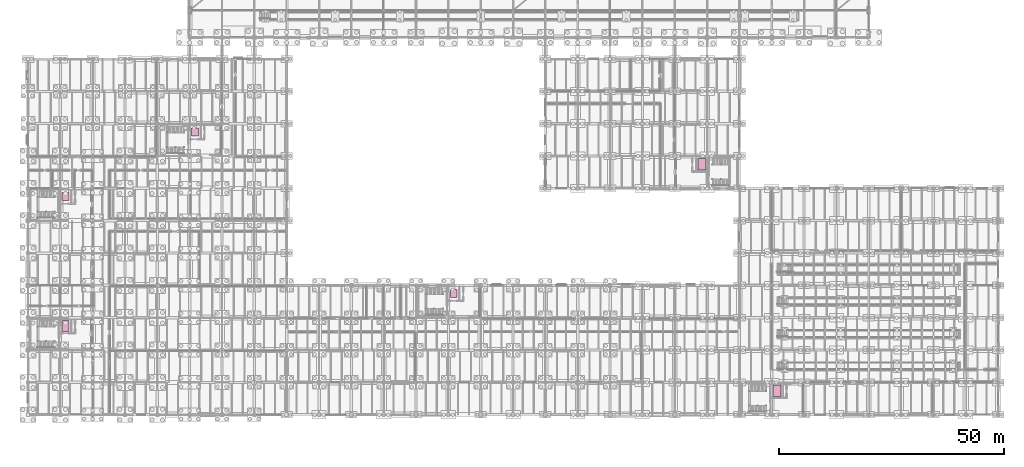
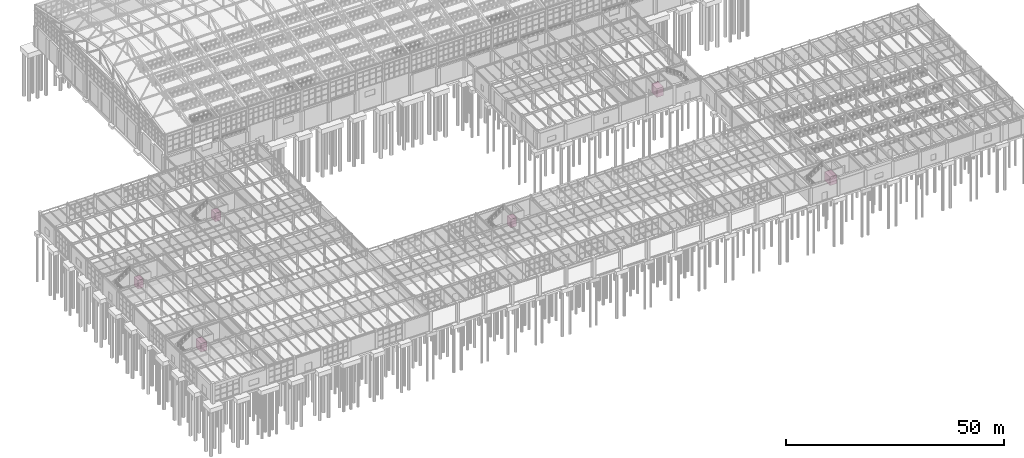
# One storey, part 293 of 293: 6 transport elements.
"""IFC4 building model written with IfcOpenShell, lengths in metres."""

from ifc_helpers import new_model, si_unit, direction, frame, origin, origin_2d, place, context, subcontext, project, spatial, rectangle, extrude, material, type_object, element, save


model = new_model("IFC4")

# Units and contexts
model_context = context("Model", 3, precision=1e-05, world=origin(), true_north=direction((0.0, 1.0)))
body_context = subcontext(model_context, "Body", "Model", "MODEL_VIEW")
ifc_project = project(units=[si_unit("LENGTHUNIT", "METRE"), si_unit("AREAUNIT", "SQUARE_METRE"), si_unit("VOLUMEUNIT", "CUBIC_METRE"), si_unit("PLANEANGLEUNIT", "RADIAN"), si_unit("MASSUNIT", "GRAM", prefix="KILO")], contexts=[model_context])

# Site, building, storey
site_placement = place(None, origin())
site = spatial("IfcSite", under=ifc_project, at=site_placement, CompositionType="ELEMENT")
building_placement = place(site_placement, origin())
building = spatial("IfcBuilding", under=site, at=building_placement, Name="Kemerveld Promenade Tramway Depot", CompositionType="ELEMENT")
storey_placement = place(building_placement, origin())
storey = spatial("IfcBuildingStorey", under=building, at=storey_placement, Name="L00", CompositionType="ELEMENT", Elevation=0.0)

# Transport elements
ifc_material_1 = material(Name="Stainless steel firefighting lift car", Category="steel")
transport_element_type_1 = type_object("IfcTransportElementType", Name="LFT-FF1600", PredefinedType="ELEVATOR", material=ifc_material_1)
transport_element_placement = place(storey_placement, frame((8.3798828125, 19.75, 0.0), z_axis=(0.0, 0.0, 1.0), x_axis=(1.0, 0.0, 0.0)))
element("IfcTransportElement", 1, at=transport_element_placement, inside=storey, type_object=transport_element_type_1, Name="LF-01", PredefinedType="ELEVATOR", context=body_context, shape_type="SweptSolid", body=[
    extrude(rectangle(XDim=1.60009765625, YDim=2.39990234375, at=origin_2d()), origin(), (0.0, 0.0, 1.0), 2.39990234375),
])
ifc_material_2 = material(Name="Heavy-duty steel goods lift car", Category="steel")
transport_element_type_2 = type_object("IfcTransportElementType", Name="LFT-GD2500", PredefinedType="ELEVATOR", material=ifc_material_2)
for number, where, z_axis, x_axis, name in (
    (2, (166.780029296875, 5.35009765625, 0.0), (0.0, 0.0, 1.0), (1.0, 0.0, 0.0), "LG-01"),
    (3, (150.02001953125, 55.75, 0.0), (0.0, 0.0, 1.0), (1.0, 0.0, 0.0), "LG-02"),
):
    element("IfcTransportElement", number, at=place(storey_placement, frame(where, z_axis=z_axis, x_axis=x_axis)), inside=storey, type_object=transport_element_type_2, Name=name, PredefinedType="ELEVATOR", context=body_context, shape_type="SweptSolid", body=[
        extrude(rectangle(XDim=1.800048828125, YDim=2.5, at=origin_2d()), origin(), (0.0, 0.0, 1.0), 2.39990234375),
    ])
ifc_material_3 = material(Name="Brushed steel passenger lift car", Category="steel")
transport_element_type_3 = type_object("IfcTransportElementType", Name="LFT-PS1350", PredefinedType="ELEVATOR", material=ifc_material_3)
for number, where, z_axis, x_axis, name in (
    (4, (8.3798828125, 48.550048828125, 0.0), (0.0, 0.0, 1.0), (1.0, 0.0, 0.0), "LP-01"),
    (5, (37.179931640625, 62.949951171875, 0.0), (0.0, 0.0, 1.0), (1.0, 0.0, 0.0), "LP-02"),
    (6, (94.780029296875, 26.949951171875, 0.0), (0.0, 0.0, 1.0), (1.0, 0.0, 0.0), "LP-03"),
):
    element("IfcTransportElement", number, at=place(storey_placement, frame(where, z_axis=z_axis, x_axis=x_axis)), inside=storey, type_object=transport_element_type_3, Name=name, PredefinedType="ELEVATOR", context=body_context, shape_type="SweptSolid", body=[
        extrude(rectangle(XDim=1.5, YDim=1.800048828125, at=origin_2d()), origin(), (0.0, 0.0, 1.0), 2.39990234375),
    ])

save(model, "model.ifc")
